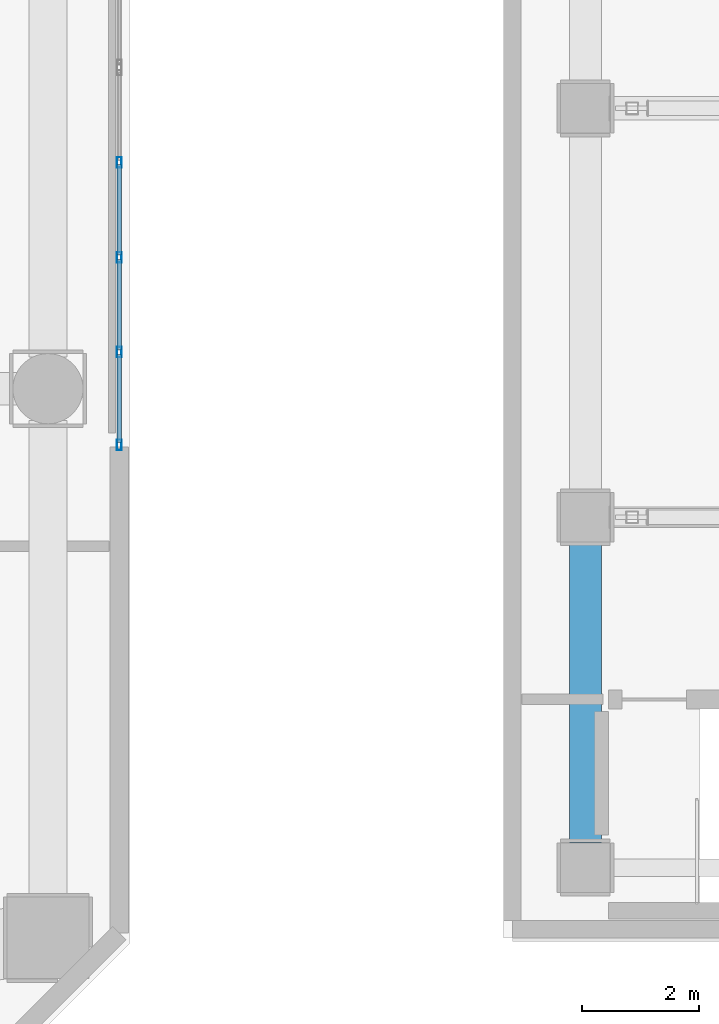
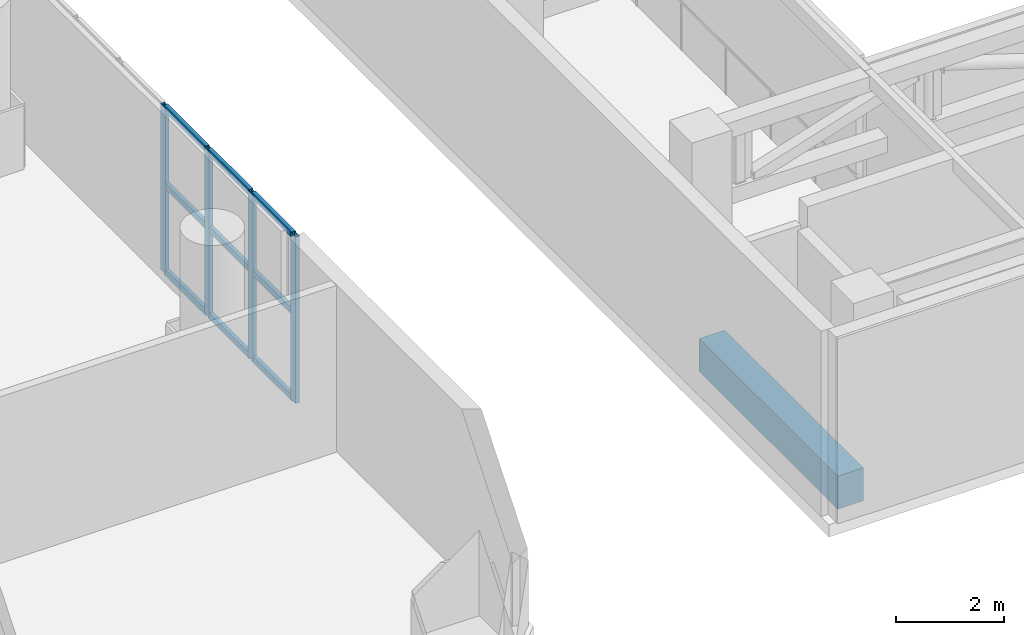
# One storey, part 2 of 25: 13 members, 1 beam, 1 element without a shape of its own.
"""IFC4 building model written with IfcOpenShell, lengths in metres."""

from ifc_helpers import new_model, si_unit, direction, frame, origin, origin_2d, place, context, subcontext, project, spatial, rectangle, hollow_rectangle, extrude, material, layer, layer_set, material_profile, profile_set, type_object, element, aggregate, save


model = new_model("IFC4")

# Units and contexts
model_context = context("Model", 3, precision=1e-05, world=origin(), true_north=direction((0.0, 1.0)))
body_context = subcontext(model_context, "Body", "Model", "MODEL_VIEW")
ifc_project = project(units=[si_unit("LENGTHUNIT", "METRE"), si_unit("AREAUNIT", "SQUARE_METRE"), si_unit("VOLUMEUNIT", "CUBIC_METRE"), si_unit("PLANEANGLEUNIT", "RADIAN"), si_unit("MASSUNIT", "GRAM", prefix="KILO")], contexts=[model_context])

# Site, building, storey
site_placement = place(None, origin())
site = spatial("IfcSite", under=ifc_project, at=site_placement, CompositionType="ELEMENT")
building_placement = place(site_placement, origin())
building = spatial("IfcBuilding", under=site, at=building_placement, Name="Solanera Arch Residences", CompositionType="ELEMENT")
storey_placement = place(building_placement, frame((0.0, 0.0, 17.800048828125)))
storey = spatial("IfcBuildingStorey", under=building, at=storey_placement, Name="L04", CompositionType="ELEMENT", Elevation=17.800048828125)

# Curtain wall, members
ifc_material_1 = material(Name="Anodised Aluminium Alloy 6063-T6", Category="aluminium")
ifc_layer = layer(ifc_material_1, 0.179931640625)
ifc_layer_set = layer_set([ifc_layer], Name="Anodised Aluminium Alloy 6063-T6")
curtain_wall_type = type_object("IfcCurtainWallType", Name="CW-4 Podium Conservatory Curtain Wall", PredefinedType="USERDEFINED", material=ifc_layer_set)
curtain_wall_placement = place(storey_placement, origin())
curtain_wall = element("IfcCurtainWall", 1, at=curtain_wall_placement, inside=storey, type_object=curtain_wall_type, Name="L04 Podium Conservatory Curtain Wall 3", ObjectType="CURTAIN_WALL", PredefinedType="USERDEFINED")
ifc_material_2 = material(Name="Anodised Aluminium Alloy 6063-T6", Category="aluminium")
ifc_material_profile_1 = material_profile(ifc_material_2, hollow_rectangle(XDim=0.080078125, YDim=0.179931640625, WallThickness=0.00390625, at=origin_2d()))
ifc_profile_set_1 = profile_set([ifc_material_profile_1], Name="Anodised Aluminium Alloy 6063-T6")
member_type_1 = type_object("IfcMemberType", Name="Curtain Wall Mullion ALU-MUL-80X180", PredefinedType="MULLION", material=ifc_profile_set_1)
member_1_placement = place(storey_placement, frame((47.820068359375, 25.875, 0.0), z_axis=(0.0, 0.0, 1.0), x_axis=(1.0, 0.0, 0.0)))
member_1 = element("IfcMember", 2, at=member_1_placement, type_object=member_type_1, Name="CW-4 mullion 2", PredefinedType="MULLION", context=body_context, shape_type="SweptSolid", body=[
    extrude(hollow_rectangle(XDim=0.080078125, YDim=0.179931640625, WallThickness=0.00390625, at=origin_2d()), origin(), (0.0, 0.0, 1.0), 3.780029296875),
])
member_2_placement = place(storey_placement, frame((47.820068359375, 24.25, 0.0), z_axis=(0.0, 0.0, 1.0), x_axis=(1.0, 0.0, 0.0)))
member_2 = element("IfcMember", 3, at=member_2_placement, type_object=member_type_1, Name="CW-4 mullion 3", PredefinedType="MULLION", context=body_context, shape_type="SweptSolid", body=[
    extrude(hollow_rectangle(XDim=0.080078125, YDim=0.179931640625, WallThickness=0.00390625, at=origin_2d()), origin(), (0.0, 0.0, 1.0), 3.780029296875),
])
member_3_placement = place(storey_placement, frame((47.820068359375, 22.625, 0.0), z_axis=(0.0, 0.0, 1.0), x_axis=(1.0, 0.0, 0.0)))
member_3 = element("IfcMember", 4, at=member_3_placement, type_object=member_type_1, Name="CW-4 mullion 4", PredefinedType="MULLION", context=body_context, shape_type="SweptSolid", body=[
    extrude(hollow_rectangle(XDim=0.080078125, YDim=0.179931640625, WallThickness=0.00390625, at=origin_2d()), origin(), (0.0, 0.0, 1.0), 3.780029296875),
])
member_4_placement = place(storey_placement, frame((47.820068359375, 21.0400390625, 0.0), z_axis=(0.0, 0.0, 1.0), x_axis=(1.0, 0.0, 0.0)))
member_4 = element("IfcMember", 5, at=member_4_placement, type_object=member_type_1, Name="CW-4 mullion 5", PredefinedType="MULLION", context=body_context, shape_type="SweptSolid", body=[
    extrude(hollow_rectangle(XDim=0.080078125, YDim=0.179931640625, WallThickness=0.00390625, at=origin_2d()), origin(), (0.0, 0.0, 1.0), 3.780029296875),
])
ifc_material_3 = material(Name="Anodised Aluminium Alloy 6063-T6", Category="aluminium")
ifc_material_profile_2 = material_profile(ifc_material_3, hollow_rectangle(XDim=0.080078125, YDim=0.139892578125, WallThickness=0.00390625, at=origin_2d()))
ifc_profile_set_2 = profile_set([ifc_material_profile_2], Name="Anodised Aluminium Alloy 6063-T6")
member_type_2 = type_object("IfcMemberType", Name="Curtain Wall Transom ALU-TRN-80X140", PredefinedType="USERDEFINED", material=ifc_profile_set_2)
member_5_placement = place(storey_placement, frame((47.820068359375, 25.8349609375, 0.0400390625), z_axis=(0.0, -1.0, 0.0), x_axis=(1.0, 0.0, 0.0)))
member_5 = element("IfcMember", 6, at=member_5_placement, type_object=member_type_2, Name="CW-4 transom 2.1", ObjectType="TRANSOM", PredefinedType="USERDEFINED", context=body_context, shape_type="SweptSolid", body=[
    extrude(hollow_rectangle(XDim=0.080078125, YDim=0.139892578125, WallThickness=0.00390625, at=origin_2d()), origin(), (0.0, 0.0, 1.0), 1.544921875),
])
member_6_placement = place(storey_placement, frame((47.820068359375, 25.8349609375, 2.0), z_axis=(0.0, -1.0, 0.0), x_axis=(1.0, 0.0, 0.0)))
member_6 = element("IfcMember", 7, at=member_6_placement, type_object=member_type_2, Name="CW-4 transom 2.2", ObjectType="TRANSOM", PredefinedType="USERDEFINED", context=body_context, shape_type="SweptSolid", body=[
    extrude(hollow_rectangle(XDim=0.080078125, YDim=0.139892578125, WallThickness=0.00390625, at=origin_2d()), origin(), (0.0, 0.0, 1.0), 1.544921875),
])
member_7_placement = place(storey_placement, frame((47.820068359375, 25.8349609375, 3.739990234375), z_axis=(0.0, -1.0, 0.0), x_axis=(1.0, 0.0, 0.0)))
member_7 = element("IfcMember", 8, at=member_7_placement, type_object=member_type_2, Name="CW-4 transom 2.3", ObjectType="TRANSOM", PredefinedType="USERDEFINED", context=body_context, shape_type="SweptSolid", body=[
    extrude(hollow_rectangle(XDim=0.080078125, YDim=0.139892578125, WallThickness=0.00390625, at=origin_2d()), origin(), (0.0, 0.0, 1.0), 1.544921875),
])
member_8_placement = place(storey_placement, frame((47.820068359375, 24.2099609375, 0.0400390625), z_axis=(0.0, -1.0, 0.0), x_axis=(1.0, 0.0, 0.0)))
member_8 = element("IfcMember", 9, at=member_8_placement, type_object=member_type_2, Name="CW-4 transom 3.1", ObjectType="TRANSOM", PredefinedType="USERDEFINED", context=body_context, shape_type="SweptSolid", body=[
    extrude(hollow_rectangle(XDim=0.080078125, YDim=0.139892578125, WallThickness=0.00390625, at=origin_2d()), origin(), (0.0, 0.0, 1.0), 1.544921875),
])
member_9_placement = place(storey_placement, frame((47.820068359375, 24.2099609375, 2.0), z_axis=(0.0, -1.0, 0.0), x_axis=(1.0, 0.0, 0.0)))
member_9 = element("IfcMember", 10, at=member_9_placement, type_object=member_type_2, Name="CW-4 transom 3.2", ObjectType="TRANSOM", PredefinedType="USERDEFINED", context=body_context, shape_type="SweptSolid", body=[
    extrude(hollow_rectangle(XDim=0.080078125, YDim=0.139892578125, WallThickness=0.00390625, at=origin_2d()), origin(), (0.0, 0.0, 1.0), 1.544921875),
])
member_10_placement = place(storey_placement, frame((47.820068359375, 24.2099609375, 3.739990234375), z_axis=(0.0, -1.0, 0.0), x_axis=(1.0, 0.0, 0.0)))
member_10 = element("IfcMember", 11, at=member_10_placement, type_object=member_type_2, Name="CW-4 transom 3.3", ObjectType="TRANSOM", PredefinedType="USERDEFINED", context=body_context, shape_type="SweptSolid", body=[
    extrude(hollow_rectangle(XDim=0.080078125, YDim=0.139892578125, WallThickness=0.00390625, at=origin_2d()), origin(), (0.0, 0.0, 1.0), 1.544921875),
])
member_11_placement = place(storey_placement, frame((47.820068359375, 22.5849609375, 0.0400390625), z_axis=(0.0, -1.0, 0.0), x_axis=(1.0, 0.0, 0.0)))
member_11 = element("IfcMember", 12, at=member_11_placement, type_object=member_type_2, Name="CW-4 transom 4.1", ObjectType="TRANSOM", PredefinedType="USERDEFINED", context=body_context, shape_type="SweptSolid", body=[
    extrude(hollow_rectangle(XDim=0.080078125, YDim=0.139892578125, WallThickness=0.00390625, at=origin_2d()), origin(), (0.0, 0.0, 1.0), 1.5048828125),
])
member_12_placement = place(storey_placement, frame((47.820068359375, 22.5849609375, 2.0), z_axis=(0.0, -1.0, 0.0), x_axis=(1.0, 0.0, 0.0)))
member_12 = element("IfcMember", 13, at=member_12_placement, type_object=member_type_2, Name="CW-4 transom 4.2", ObjectType="TRANSOM", PredefinedType="USERDEFINED", context=body_context, shape_type="SweptSolid", body=[
    extrude(hollow_rectangle(XDim=0.080078125, YDim=0.139892578125, WallThickness=0.00390625, at=origin_2d()), origin(), (0.0, 0.0, 1.0), 1.5048828125),
])
member_13_placement = place(storey_placement, frame((47.820068359375, 22.5849609375, 3.739990234375), z_axis=(0.0, -1.0, 0.0), x_axis=(1.0, 0.0, 0.0)))
member_13 = element("IfcMember", 14, at=member_13_placement, type_object=member_type_2, Name="CW-4 transom 4.3", ObjectType="TRANSOM", PredefinedType="USERDEFINED", context=body_context, shape_type="SweptSolid", body=[
    extrude(hollow_rectangle(XDim=0.080078125, YDim=0.139892578125, WallThickness=0.00390625, at=origin_2d()), origin(), (0.0, 0.0, 1.0), 1.5048828125),
])
aggregate(curtain_wall, [member_1, member_2, member_3, member_4, member_5, member_6, member_7, member_8, member_9, member_10, member_11, member_12, member_13])

# Beam
ifc_material_4 = material(Name="Concrete C40/50 (f'c = 45 MPa)", Category="concrete")
ifc_material_profile_3 = material_profile(ifc_material_4, rectangle(XDim=0.550048828125, YDim=0.75, at=origin_2d()))
ifc_profile_set_3 = profile_set([ifc_material_profile_3], Name="Concrete C40/50 (f'c = 45 MPa)")
beam_type = type_object("IfcBeamType", Name="Primary Beam RC-BM-550X750", PredefinedType="BEAM", material=ifc_profile_set_3)
beam_placement = place(storey_placement, frame((55.800048828125, 14.22509765625, -0.655029296875), z_axis=(0.0, 1.0, 0.0), x_axis=(-1.0, 0.0, 0.0)))
element("IfcBeam", 15, at=beam_placement, inside=storey, type_object=beam_type, Name="BM-L04-HW-1", PredefinedType="BEAM", context=body_context, shape_type="SweptSolid", body=[
    extrude(rectangle(XDim=0.550048828125, YDim=0.75, at=origin_2d()), origin(), (0.0, 0.0, 1.0), 5.14990234375),
])

save(model, "model.ifc")
